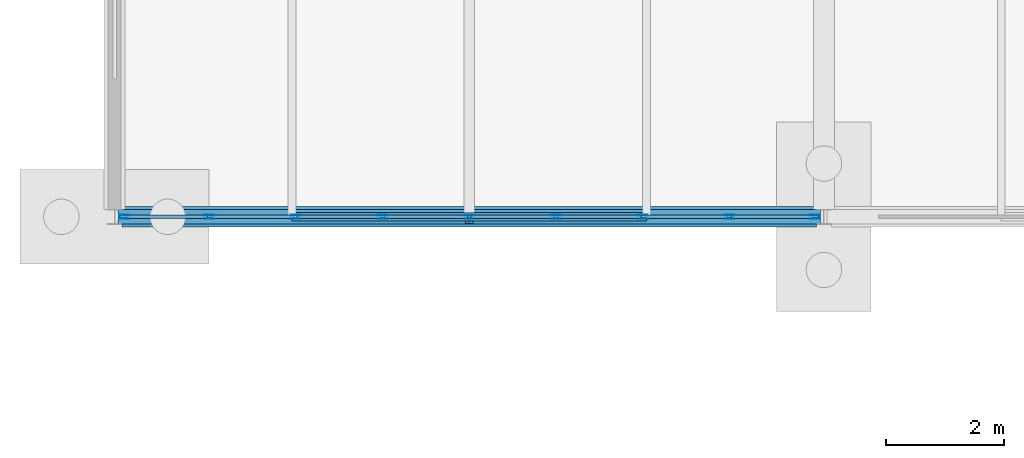
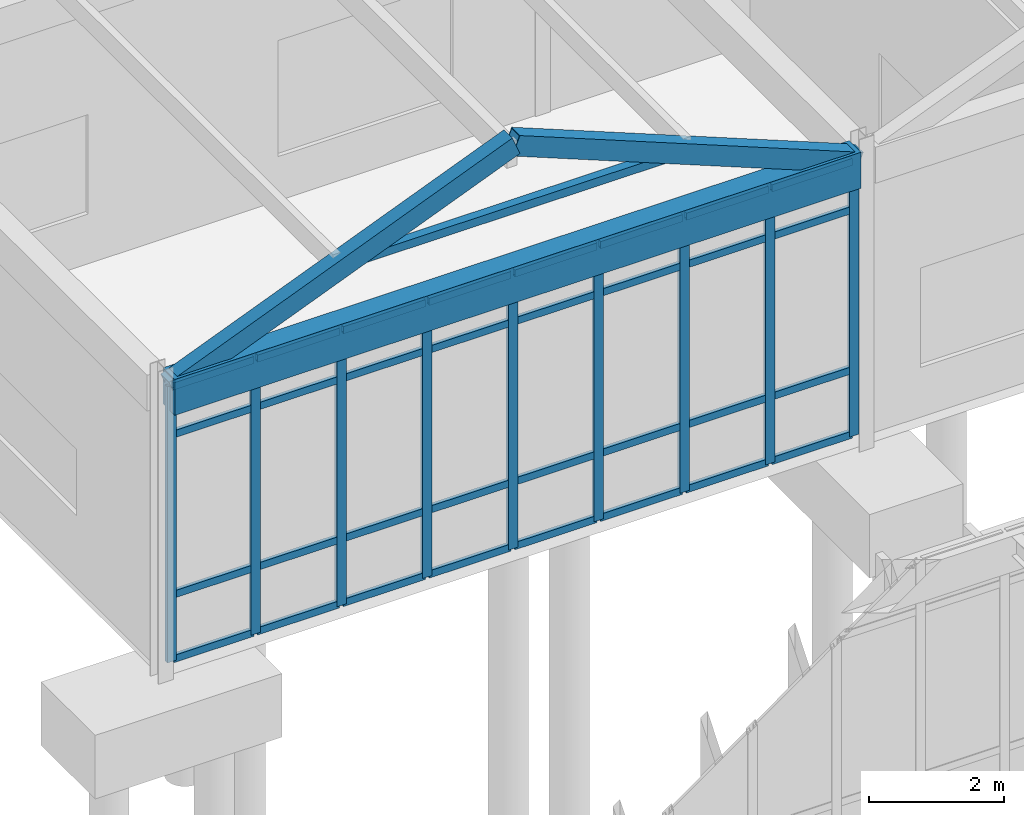
# One storey, part 37 of 188: 44 members, 1 beam, 1 element without a shape of its own.
"""IFC4 building model written with IfcOpenShell, lengths in metres."""

from ifc_helpers import new_model, si_unit, direction, frame, origin, origin_2d, place, context, subcontext, project, spatial, rectangle, hollow_rectangle, extrude, material, layer, layer_set, material_profile, profile_set, type_object, element, aggregate, save


model = new_model("IFC4")

# Units and contexts
model_context = context("Model", 3, precision=1e-05, world=origin(), true_north=direction((0.0, 1.0)))
body_context = subcontext(model_context, "Body", "Model", "MODEL_VIEW")
ifc_project = project(units=[si_unit("LENGTHUNIT", "METRE"), si_unit("AREAUNIT", "SQUARE_METRE"), si_unit("VOLUMEUNIT", "CUBIC_METRE"), si_unit("PLANEANGLEUNIT", "RADIAN"), si_unit("MASSUNIT", "GRAM", prefix="KILO")], contexts=[model_context])

# Site, building, storey
site_placement = place(None, origin())
site = spatial("IfcSite", under=ifc_project, at=site_placement, CompositionType="ELEMENT")
building_placement = place(site_placement, origin())
building = spatial("IfcBuilding", under=site, at=building_placement, Name="Pandanus Reach Market Hall", CompositionType="ELEMENT")
storey_placement = place(building_placement, origin())
storey = spatial("IfcBuildingStorey", under=building, at=storey_placement, Name="L00", CompositionType="ELEMENT", Elevation=0.0)

# Beam
ifc_material_1 = material(Name="Concrete N40 (40 MPa)", Category="concrete")
ifc_material_profile_1 = material_profile(ifc_material_1, rectangle(XDim=0.35009765625, YDim=0.64990234375, at=origin_2d()), Name="RC350x650", Category="LoadBearing")
ifc_profile_set_1 = profile_set([ifc_material_profile_1], Name="Concrete N40 (40 MPa)")
beam_type = type_object("IfcBeamType", Name="BM-RC350-E", PredefinedType="SPANDREL", material=ifc_profile_set_1)
beam_placement = place(storey_placement, frame((0.125, 38.39990234375, 4.8798828125), z_axis=(1.0, 0.0, 0.0), x_axis=(0.0, 1.0, 0.0)))
element("IfcBeam", 1, at=beam_placement, inside=storey, type_object=beam_type, Name="Framing beam BM-RC350-E L00.1154", PredefinedType="SPANDREL", context=body_context, shape_type="SweptSolid", body=[
    extrude(rectangle(XDim=0.35009765625, YDim=0.64990234375, at=origin_2d()), origin(), (0.0, 0.0, 1.0), 11.75),
])

# Member
ifc_material_2 = material(Name="Steel Grade 350 (350 MPa)", Category="steel")
ifc_material_profile_2 = material_profile(ifc_material_2, hollow_rectangle(XDim=0.14990234375, YDim=0.14990234375, WallThickness=0.009033203125, at=origin_2d()), Name="150x150x9.0SHS", Category="LoadBearing")
ifc_profile_set_2 = profile_set([ifc_material_profile_2], Name="Steel Grade 350 (350 MPa)")
member_type_1 = type_object("IfcMemberType", Name="CL-SHS150-I", PredefinedType="COLLAR", material=ifc_profile_set_2)
member_1_placement = place(storey_placement, frame((3.0, 38.39990234375, 6.166748046875), z_axis=(1.0, 0.0, 0.0), x_axis=(0.0, 1.0, 0.0)))
element("IfcMember", 2, at=member_1_placement, inside=storey, type_object=member_type_1, Name="Gable collar tie R1.B1", PredefinedType="COLLAR", context=body_context, shape_type="SweptSolid", body=[
    extrude(hollow_rectangle(XDim=0.14990234375, YDim=0.14990234375, WallThickness=0.009033203125, at=origin_2d()), origin(), (0.0, 0.0, 1.0), 6.0),
])

# Curtain wall, members
ifc_material_3 = material(Name="Bronze anodised aluminium and low-E glass", Category="aluminium")
ifc_layer = layer(ifc_material_3, 0.159912109375, Name="CW-07")
ifc_layer_set = layer_set([ifc_layer], Name="Bronze anodised aluminium and low-E glass")
curtain_wall_type = type_object("IfcCurtainWallType", Name="CW-07", PredefinedType="NOTDEFINED", material=ifc_layer_set)
curtain_wall_placement = place(storey_placement, origin())
curtain_wall = element("IfcCurtainWall", 3, at=curtain_wall_placement, inside=storey, type_object=curtain_wall_type, Name="Glazed curtain wall CW-07 CW-0038", PredefinedType="NOTDEFINED")
ifc_material_4 = material(Name="Bronze anodised aluminium", Category="aluminium")
ifc_material_profile_3 = material_profile(ifc_material_4, hollow_rectangle(XDim=0.06494140625, YDim=0.159912109375, WallThickness=0.00390625, at=origin_2d()), Name="ALU65x160", Category="LoadBearing")
ifc_profile_set_3 = profile_set([ifc_material_profile_3], Name="Bronze anodised aluminium")
member_type_2 = type_object("IfcMemberType", Name="CW-M1", PredefinedType="MULLION", material=ifc_profile_set_3)
member_2_placement = place(storey_placement, frame((0.159423828125, 38.39990234375, 0.0), z_axis=(0.0, 0.0, 1.0), x_axis=(0.0, 1.0, 0.0)))
member_2 = element("IfcMember", 4, at=member_2_placement, type_object=member_type_2, Name="CW-07 mullion 1", PredefinedType="MULLION", context=body_context, shape_type="SweptSolid", body=[
    extrude(hollow_rectangle(XDim=0.06494140625, YDim=0.159912109375, WallThickness=0.00390625, at=origin_2d()), origin(), (0.0, 0.0, 1.0), 5.0),
])
member_3_placement = place(storey_placement, frame((1.59521484375, 38.39990234375, 0.0), z_axis=(0.0, 0.0, 1.0), x_axis=(0.0, 1.0, 0.0)))
member_3 = element("IfcMember", 5, at=member_3_placement, type_object=member_type_2, Name="CW-07 mullion 2", PredefinedType="MULLION", context=body_context, shape_type="SweptSolid", body=[
    extrude(hollow_rectangle(XDim=0.06494140625, YDim=0.159912109375, WallThickness=0.00390625, at=origin_2d()), origin(), (0.0, 0.0, 1.0), 5.0),
])
member_4_placement = place(storey_placement, frame((3.0634765625, 38.39990234375, 0.0), z_axis=(0.0, 0.0, 1.0), x_axis=(0.0, 1.0, 0.0)))
member_4 = element("IfcMember", 6, at=member_4_placement, type_object=member_type_2, Name="CW-07 mullion 3", PredefinedType="MULLION", context=body_context, shape_type="SweptSolid", body=[
    extrude(hollow_rectangle(XDim=0.06494140625, YDim=0.159912109375, WallThickness=0.00390625, at=origin_2d()), origin(), (0.0, 0.0, 1.0), 5.0),
])
member_5_placement = place(storey_placement, frame((4.53173828125, 38.39990234375, 0.0), z_axis=(0.0, 0.0, 1.0), x_axis=(0.0, 1.0, 0.0)))
member_5 = element("IfcMember", 7, at=member_5_placement, type_object=member_type_2, Name="CW-07 mullion 4", PredefinedType="MULLION", context=body_context, shape_type="SweptSolid", body=[
    extrude(hollow_rectangle(XDim=0.06494140625, YDim=0.159912109375, WallThickness=0.00390625, at=origin_2d()), origin(), (0.0, 0.0, 1.0), 5.0),
])
member_6_placement = place(storey_placement, frame((6.0, 38.39990234375, 0.0), z_axis=(0.0, 0.0, 1.0), x_axis=(0.0, 1.0, 0.0)))
member_6 = element("IfcMember", 8, at=member_6_placement, type_object=member_type_2, Name="CW-07 mullion 5", PredefinedType="MULLION", context=body_context, shape_type="SweptSolid", body=[
    extrude(hollow_rectangle(XDim=0.06494140625, YDim=0.159912109375, WallThickness=0.00390625, at=origin_2d()), origin(), (0.0, 0.0, 1.0), 5.0),
])
member_7_placement = place(storey_placement, frame((7.46826171875, 38.39990234375, 0.0), z_axis=(0.0, 0.0, 1.0), x_axis=(0.0, 1.0, 0.0)))
member_7 = element("IfcMember", 9, at=member_7_placement, type_object=member_type_2, Name="CW-07 mullion 6", PredefinedType="MULLION", context=body_context, shape_type="SweptSolid", body=[
    extrude(hollow_rectangle(XDim=0.06494140625, YDim=0.159912109375, WallThickness=0.00390625, at=origin_2d()), origin(), (0.0, 0.0, 1.0), 5.0),
])
member_8_placement = place(storey_placement, frame((8.9365234375, 38.39990234375, 0.0), z_axis=(0.0, 0.0, 1.0), x_axis=(0.0, 1.0, 0.0)))
member_8 = element("IfcMember", 10, at=member_8_placement, type_object=member_type_2, Name="CW-07 mullion 7", PredefinedType="MULLION", context=body_context, shape_type="SweptSolid", body=[
    extrude(hollow_rectangle(XDim=0.06494140625, YDim=0.159912109375, WallThickness=0.00390625, at=origin_2d()), origin(), (0.0, 0.0, 1.0), 5.0),
])
member_9_placement = place(storey_placement, frame((10.40478515625, 38.39990234375, 0.0), z_axis=(0.0, 0.0, 1.0), x_axis=(0.0, 1.0, 0.0)))
member_9 = element("IfcMember", 11, at=member_9_placement, type_object=member_type_2, Name="CW-07 mullion 8", PredefinedType="MULLION", context=body_context, shape_type="SweptSolid", body=[
    extrude(hollow_rectangle(XDim=0.06494140625, YDim=0.159912109375, WallThickness=0.00390625, at=origin_2d()), origin(), (0.0, 0.0, 1.0), 5.0),
])
member_10_placement = place(storey_placement, frame((11.840576171875, 38.39990234375, 0.0), z_axis=(0.0, 0.0, 1.0), x_axis=(0.0, 1.0, 0.0)))
member_10 = element("IfcMember", 12, at=member_10_placement, type_object=member_type_2, Name="CW-07 mullion 9", PredefinedType="MULLION", context=body_context, shape_type="SweptSolid", body=[
    extrude(hollow_rectangle(XDim=0.06494140625, YDim=0.159912109375, WallThickness=0.00390625, at=origin_2d()), origin(), (0.0, 0.0, 1.0), 5.0),
])
ifc_material_profile_4 = material_profile(ifc_material_4, hollow_rectangle(XDim=0.06494140625, YDim=0.1298828125, WallThickness=0.00390625, at=origin_2d()), Name="ALU65x130", Category="LoadBearing")
ifc_profile_set_4 = profile_set([ifc_material_profile_4], Name="Bronze anodised aluminium")
member_type_3 = type_object("IfcMemberType", Name="CW-T1", PredefinedType="USERDEFINED", material=ifc_profile_set_4)
member_11_placement = place(storey_placement, frame((0.19189453125, 38.39990234375, 0.032470703125), z_axis=(1.0, 0.0, 0.0), x_axis=(0.0, 1.0, 0.0)))
member_11 = element("IfcMember", 13, at=member_11_placement, type_object=member_type_3, Name="CW-07 transom 1.1", ObjectType="TRANSOM", PredefinedType="USERDEFINED", context=body_context, shape_type="SweptSolid", body=[
    extrude(hollow_rectangle(XDim=0.06494140625, YDim=0.1298828125, WallThickness=0.00390625, at=origin_2d()), origin(), (0.0, 0.0, 1.0), 1.370849609375),
])
member_12_placement = place(storey_placement, frame((0.19189453125, 38.39990234375, 1.199951171875), z_axis=(1.0, 0.0, 0.0), x_axis=(0.0, 1.0, 0.0)))
member_12 = element("IfcMember", 14, at=member_12_placement, type_object=member_type_3, Name="CW-07 transom 1.2", ObjectType="TRANSOM", PredefinedType="USERDEFINED", context=body_context, shape_type="SweptSolid", body=[
    extrude(hollow_rectangle(XDim=0.06494140625, YDim=0.1298828125, WallThickness=0.00390625, at=origin_2d()), origin(), (0.0, 0.0, 1.0), 1.370849609375),
])
member_13_placement = place(storey_placement, frame((0.19189453125, 38.39990234375, 4.10009765625), z_axis=(1.0, 0.0, 0.0), x_axis=(0.0, 1.0, 0.0)))
member_13 = element("IfcMember", 15, at=member_13_placement, type_object=member_type_3, Name="CW-07 transom 1.3", ObjectType="TRANSOM", PredefinedType="USERDEFINED", context=body_context, shape_type="SweptSolid", body=[
    extrude(hollow_rectangle(XDim=0.06494140625, YDim=0.1298828125, WallThickness=0.00390625, at=origin_2d()), origin(), (0.0, 0.0, 1.0), 1.370849609375),
])
member_14_placement = place(storey_placement, frame((0.19189453125, 38.39990234375, 4.967529296875), z_axis=(1.0, 0.0, 0.0), x_axis=(0.0, 1.0, 0.0)))
member_14 = element("IfcMember", 16, at=member_14_placement, type_object=member_type_3, Name="CW-07 transom 1.4", ObjectType="TRANSOM", PredefinedType="USERDEFINED", context=body_context, shape_type="SweptSolid", body=[
    extrude(hollow_rectangle(XDim=0.06494140625, YDim=0.1298828125, WallThickness=0.00390625, at=origin_2d()), origin(), (0.0, 0.0, 1.0), 1.370849609375),
])
member_15_placement = place(storey_placement, frame((1.627685546875, 38.39990234375, 0.032470703125), z_axis=(1.0, 0.0, 0.0), x_axis=(0.0, 1.0, 0.0)))
member_15 = element("IfcMember", 17, at=member_15_placement, type_object=member_type_3, Name="CW-07 transom 2.1", ObjectType="TRANSOM", PredefinedType="USERDEFINED", context=body_context, shape_type="SweptSolid", body=[
    extrude(hollow_rectangle(XDim=0.06494140625, YDim=0.1298828125, WallThickness=0.00390625, at=origin_2d()), origin(), (0.0, 0.0, 1.0), 1.4033203125),
])
member_16_placement = place(storey_placement, frame((1.627685546875, 38.39990234375, 1.199951171875), z_axis=(1.0, 0.0, 0.0), x_axis=(0.0, 1.0, 0.0)))
member_16 = element("IfcMember", 18, at=member_16_placement, type_object=member_type_3, Name="CW-07 transom 2.2", ObjectType="TRANSOM", PredefinedType="USERDEFINED", context=body_context, shape_type="SweptSolid", body=[
    extrude(hollow_rectangle(XDim=0.06494140625, YDim=0.1298828125, WallThickness=0.00390625, at=origin_2d()), origin(), (0.0, 0.0, 1.0), 1.4033203125),
])
member_17_placement = place(storey_placement, frame((1.627685546875, 38.39990234375, 4.10009765625), z_axis=(1.0, 0.0, 0.0), x_axis=(0.0, 1.0, 0.0)))
member_17 = element("IfcMember", 19, at=member_17_placement, type_object=member_type_3, Name="CW-07 transom 2.3", ObjectType="TRANSOM", PredefinedType="USERDEFINED", context=body_context, shape_type="SweptSolid", body=[
    extrude(hollow_rectangle(XDim=0.06494140625, YDim=0.1298828125, WallThickness=0.00390625, at=origin_2d()), origin(), (0.0, 0.0, 1.0), 1.4033203125),
])
member_18_placement = place(storey_placement, frame((1.627685546875, 38.39990234375, 4.967529296875), z_axis=(1.0, 0.0, 0.0), x_axis=(0.0, 1.0, 0.0)))
member_18 = element("IfcMember", 20, at=member_18_placement, type_object=member_type_3, Name="CW-07 transom 2.4", ObjectType="TRANSOM", PredefinedType="USERDEFINED", context=body_context, shape_type="SweptSolid", body=[
    extrude(hollow_rectangle(XDim=0.06494140625, YDim=0.1298828125, WallThickness=0.00390625, at=origin_2d()), origin(), (0.0, 0.0, 1.0), 1.4033203125),
])
member_19_placement = place(storey_placement, frame((3.095947265625, 38.39990234375, 0.032470703125), z_axis=(1.0, 0.0, 0.0), x_axis=(0.0, 1.0, 0.0)))
member_19 = element("IfcMember", 21, at=member_19_placement, type_object=member_type_3, Name="CW-07 transom 3.1", ObjectType="TRANSOM", PredefinedType="USERDEFINED", context=body_context, shape_type="SweptSolid", body=[
    extrude(hollow_rectangle(XDim=0.06494140625, YDim=0.1298828125, WallThickness=0.00390625, at=origin_2d()), origin(), (0.0, 0.0, 1.0), 1.4033203125),
])
member_20_placement = place(storey_placement, frame((3.095947265625, 38.39990234375, 1.199951171875), z_axis=(1.0, 0.0, 0.0), x_axis=(0.0, 1.0, 0.0)))
member_20 = element("IfcMember", 22, at=member_20_placement, type_object=member_type_3, Name="CW-07 transom 3.2", ObjectType="TRANSOM", PredefinedType="USERDEFINED", context=body_context, shape_type="SweptSolid", body=[
    extrude(hollow_rectangle(XDim=0.06494140625, YDim=0.1298828125, WallThickness=0.00390625, at=origin_2d()), origin(), (0.0, 0.0, 1.0), 1.4033203125),
])
member_21_placement = place(storey_placement, frame((3.095947265625, 38.39990234375, 4.10009765625), z_axis=(1.0, 0.0, 0.0), x_axis=(0.0, 1.0, 0.0)))
member_21 = element("IfcMember", 23, at=member_21_placement, type_object=member_type_3, Name="CW-07 transom 3.3", ObjectType="TRANSOM", PredefinedType="USERDEFINED", context=body_context, shape_type="SweptSolid", body=[
    extrude(hollow_rectangle(XDim=0.06494140625, YDim=0.1298828125, WallThickness=0.00390625, at=origin_2d()), origin(), (0.0, 0.0, 1.0), 1.4033203125),
])
member_22_placement = place(storey_placement, frame((3.095947265625, 38.39990234375, 4.967529296875), z_axis=(1.0, 0.0, 0.0), x_axis=(0.0, 1.0, 0.0)))
member_22 = element("IfcMember", 24, at=member_22_placement, type_object=member_type_3, Name="CW-07 transom 3.4", ObjectType="TRANSOM", PredefinedType="USERDEFINED", context=body_context, shape_type="SweptSolid", body=[
    extrude(hollow_rectangle(XDim=0.06494140625, YDim=0.1298828125, WallThickness=0.00390625, at=origin_2d()), origin(), (0.0, 0.0, 1.0), 1.4033203125),
])
member_23_placement = place(storey_placement, frame((4.564208984375, 38.39990234375, 0.032470703125), z_axis=(1.0, 0.0, 0.0), x_axis=(0.0, 1.0, 0.0)))
member_23 = element("IfcMember", 25, at=member_23_placement, type_object=member_type_3, Name="CW-07 transom 4.1", ObjectType="TRANSOM", PredefinedType="USERDEFINED", context=body_context, shape_type="SweptSolid", body=[
    extrude(hollow_rectangle(XDim=0.06494140625, YDim=0.1298828125, WallThickness=0.00390625, at=origin_2d()), origin(), (0.0, 0.0, 1.0), 1.4033203125),
])
member_24_placement = place(storey_placement, frame((4.564208984375, 38.39990234375, 1.199951171875), z_axis=(1.0, 0.0, 0.0), x_axis=(0.0, 1.0, 0.0)))
member_24 = element("IfcMember", 26, at=member_24_placement, type_object=member_type_3, Name="CW-07 transom 4.2", ObjectType="TRANSOM", PredefinedType="USERDEFINED", context=body_context, shape_type="SweptSolid", body=[
    extrude(hollow_rectangle(XDim=0.06494140625, YDim=0.1298828125, WallThickness=0.00390625, at=origin_2d()), origin(), (0.0, 0.0, 1.0), 1.4033203125),
])
member_25_placement = place(storey_placement, frame((4.564208984375, 38.39990234375, 4.10009765625), z_axis=(1.0, 0.0, 0.0), x_axis=(0.0, 1.0, 0.0)))
member_25 = element("IfcMember", 27, at=member_25_placement, type_object=member_type_3, Name="CW-07 transom 4.3", ObjectType="TRANSOM", PredefinedType="USERDEFINED", context=body_context, shape_type="SweptSolid", body=[
    extrude(hollow_rectangle(XDim=0.06494140625, YDim=0.1298828125, WallThickness=0.00390625, at=origin_2d()), origin(), (0.0, 0.0, 1.0), 1.4033203125),
])
member_26_placement = place(storey_placement, frame((4.564208984375, 38.39990234375, 4.967529296875), z_axis=(1.0, 0.0, 0.0), x_axis=(0.0, 1.0, 0.0)))
member_26 = element("IfcMember", 28, at=member_26_placement, type_object=member_type_3, Name="CW-07 transom 4.4", ObjectType="TRANSOM", PredefinedType="USERDEFINED", context=body_context, shape_type="SweptSolid", body=[
    extrude(hollow_rectangle(XDim=0.06494140625, YDim=0.1298828125, WallThickness=0.00390625, at=origin_2d()), origin(), (0.0, 0.0, 1.0), 1.4033203125),
])
member_27_placement = place(storey_placement, frame((6.032470703125, 38.39990234375, 0.032470703125), z_axis=(1.0, 0.0, 0.0), x_axis=(0.0, 1.0, 0.0)))
member_27 = element("IfcMember", 29, at=member_27_placement, type_object=member_type_3, Name="CW-07 transom 5.1", ObjectType="TRANSOM", PredefinedType="USERDEFINED", context=body_context, shape_type="SweptSolid", body=[
    extrude(hollow_rectangle(XDim=0.06494140625, YDim=0.1298828125, WallThickness=0.00390625, at=origin_2d()), origin(), (0.0, 0.0, 1.0), 1.4033203125),
])
member_28_placement = place(storey_placement, frame((6.032470703125, 38.39990234375, 1.199951171875), z_axis=(1.0, 0.0, 0.0), x_axis=(0.0, 1.0, 0.0)))
member_28 = element("IfcMember", 30, at=member_28_placement, type_object=member_type_3, Name="CW-07 transom 5.2", ObjectType="TRANSOM", PredefinedType="USERDEFINED", context=body_context, shape_type="SweptSolid", body=[
    extrude(hollow_rectangle(XDim=0.06494140625, YDim=0.1298828125, WallThickness=0.00390625, at=origin_2d()), origin(), (0.0, 0.0, 1.0), 1.4033203125),
])
member_29_placement = place(storey_placement, frame((6.032470703125, 38.39990234375, 4.10009765625), z_axis=(1.0, 0.0, 0.0), x_axis=(0.0, 1.0, 0.0)))
member_29 = element("IfcMember", 31, at=member_29_placement, type_object=member_type_3, Name="CW-07 transom 5.3", ObjectType="TRANSOM", PredefinedType="USERDEFINED", context=body_context, shape_type="SweptSolid", body=[
    extrude(hollow_rectangle(XDim=0.06494140625, YDim=0.1298828125, WallThickness=0.00390625, at=origin_2d()), origin(), (0.0, 0.0, 1.0), 1.4033203125),
])
member_30_placement = place(storey_placement, frame((6.032470703125, 38.39990234375, 4.967529296875), z_axis=(1.0, 0.0, 0.0), x_axis=(0.0, 1.0, 0.0)))
member_30 = element("IfcMember", 32, at=member_30_placement, type_object=member_type_3, Name="CW-07 transom 5.4", ObjectType="TRANSOM", PredefinedType="USERDEFINED", context=body_context, shape_type="SweptSolid", body=[
    extrude(hollow_rectangle(XDim=0.06494140625, YDim=0.1298828125, WallThickness=0.00390625, at=origin_2d()), origin(), (0.0, 0.0, 1.0), 1.4033203125),
])
member_31_placement = place(storey_placement, frame((7.500732421875, 38.39990234375, 0.032470703125), z_axis=(1.0, 0.0, 0.0), x_axis=(0.0, 1.0, 0.0)))
member_31 = element("IfcMember", 33, at=member_31_placement, type_object=member_type_3, Name="CW-07 transom 6.1", ObjectType="TRANSOM", PredefinedType="USERDEFINED", context=body_context, shape_type="SweptSolid", body=[
    extrude(hollow_rectangle(XDim=0.06494140625, YDim=0.1298828125, WallThickness=0.00390625, at=origin_2d()), origin(), (0.0, 0.0, 1.0), 1.4033203125),
])
member_32_placement = place(storey_placement, frame((7.500732421875, 38.39990234375, 1.199951171875), z_axis=(1.0, 0.0, 0.0), x_axis=(0.0, 1.0, 0.0)))
member_32 = element("IfcMember", 34, at=member_32_placement, type_object=member_type_3, Name="CW-07 transom 6.2", ObjectType="TRANSOM", PredefinedType="USERDEFINED", context=body_context, shape_type="SweptSolid", body=[
    extrude(hollow_rectangle(XDim=0.06494140625, YDim=0.1298828125, WallThickness=0.00390625, at=origin_2d()), origin(), (0.0, 0.0, 1.0), 1.4033203125),
])
member_33_placement = place(storey_placement, frame((7.500732421875, 38.39990234375, 4.10009765625), z_axis=(1.0, 0.0, 0.0), x_axis=(0.0, 1.0, 0.0)))
member_33 = element("IfcMember", 35, at=member_33_placement, type_object=member_type_3, Name="CW-07 transom 6.3", ObjectType="TRANSOM", PredefinedType="USERDEFINED", context=body_context, shape_type="SweptSolid", body=[
    extrude(hollow_rectangle(XDim=0.06494140625, YDim=0.1298828125, WallThickness=0.00390625, at=origin_2d()), origin(), (0.0, 0.0, 1.0), 1.4033203125),
])
member_34_placement = place(storey_placement, frame((7.500732421875, 38.39990234375, 4.967529296875), z_axis=(1.0, 0.0, 0.0), x_axis=(0.0, 1.0, 0.0)))
member_34 = element("IfcMember", 36, at=member_34_placement, type_object=member_type_3, Name="CW-07 transom 6.4", ObjectType="TRANSOM", PredefinedType="USERDEFINED", context=body_context, shape_type="SweptSolid", body=[
    extrude(hollow_rectangle(XDim=0.06494140625, YDim=0.1298828125, WallThickness=0.00390625, at=origin_2d()), origin(), (0.0, 0.0, 1.0), 1.4033203125),
])
member_35_placement = place(storey_placement, frame((8.968994140625, 38.39990234375, 0.032470703125), z_axis=(1.0, 0.0, 0.0), x_axis=(0.0, 1.0, 0.0)))
member_35 = element("IfcMember", 37, at=member_35_placement, type_object=member_type_3, Name="CW-07 transom 7.1", ObjectType="TRANSOM", PredefinedType="USERDEFINED", context=body_context, shape_type="SweptSolid", body=[
    extrude(hollow_rectangle(XDim=0.06494140625, YDim=0.1298828125, WallThickness=0.00390625, at=origin_2d()), origin(), (0.0, 0.0, 1.0), 1.4033203125),
])
member_36_placement = place(storey_placement, frame((8.968994140625, 38.39990234375, 1.199951171875), z_axis=(1.0, 0.0, 0.0), x_axis=(0.0, 1.0, 0.0)))
member_36 = element("IfcMember", 38, at=member_36_placement, type_object=member_type_3, Name="CW-07 transom 7.2", ObjectType="TRANSOM", PredefinedType="USERDEFINED", context=body_context, shape_type="SweptSolid", body=[
    extrude(hollow_rectangle(XDim=0.06494140625, YDim=0.1298828125, WallThickness=0.00390625, at=origin_2d()), origin(), (0.0, 0.0, 1.0), 1.4033203125),
])
member_37_placement = place(storey_placement, frame((8.968994140625, 38.39990234375, 4.10009765625), z_axis=(1.0, 0.0, 0.0), x_axis=(0.0, 1.0, 0.0)))
member_37 = element("IfcMember", 39, at=member_37_placement, type_object=member_type_3, Name="CW-07 transom 7.3", ObjectType="TRANSOM", PredefinedType="USERDEFINED", context=body_context, shape_type="SweptSolid", body=[
    extrude(hollow_rectangle(XDim=0.06494140625, YDim=0.1298828125, WallThickness=0.00390625, at=origin_2d()), origin(), (0.0, 0.0, 1.0), 1.4033203125),
])
member_38_placement = place(storey_placement, frame((8.968994140625, 38.39990234375, 4.967529296875), z_axis=(1.0, 0.0, 0.0), x_axis=(0.0, 1.0, 0.0)))
member_38 = element("IfcMember", 40, at=member_38_placement, type_object=member_type_3, Name="CW-07 transom 7.4", ObjectType="TRANSOM", PredefinedType="USERDEFINED", context=body_context, shape_type="SweptSolid", body=[
    extrude(hollow_rectangle(XDim=0.06494140625, YDim=0.1298828125, WallThickness=0.00390625, at=origin_2d()), origin(), (0.0, 0.0, 1.0), 1.4033203125),
])
member_39_placement = place(storey_placement, frame((10.437255859375, 38.39990234375, 0.032470703125), z_axis=(1.0, 0.0, 0.0), x_axis=(0.0, 1.0, 0.0)))
member_39 = element("IfcMember", 41, at=member_39_placement, type_object=member_type_3, Name="CW-07 transom 8.1", ObjectType="TRANSOM", PredefinedType="USERDEFINED", context=body_context, shape_type="SweptSolid", body=[
    extrude(hollow_rectangle(XDim=0.06494140625, YDim=0.1298828125, WallThickness=0.00390625, at=origin_2d()), origin(), (0.0, 0.0, 1.0), 1.370849609375),
])
member_40_placement = place(storey_placement, frame((10.437255859375, 38.39990234375, 1.199951171875), z_axis=(1.0, 0.0, 0.0), x_axis=(0.0, 1.0, 0.0)))
member_40 = element("IfcMember", 42, at=member_40_placement, type_object=member_type_3, Name="CW-07 transom 8.2", ObjectType="TRANSOM", PredefinedType="USERDEFINED", context=body_context, shape_type="SweptSolid", body=[
    extrude(hollow_rectangle(XDim=0.06494140625, YDim=0.1298828125, WallThickness=0.00390625, at=origin_2d()), origin(), (0.0, 0.0, 1.0), 1.370849609375),
])
member_41_placement = place(storey_placement, frame((10.437255859375, 38.39990234375, 4.10009765625), z_axis=(1.0, 0.0, 0.0), x_axis=(0.0, 1.0, 0.0)))
member_41 = element("IfcMember", 43, at=member_41_placement, type_object=member_type_3, Name="CW-07 transom 8.3", ObjectType="TRANSOM", PredefinedType="USERDEFINED", context=body_context, shape_type="SweptSolid", body=[
    extrude(hollow_rectangle(XDim=0.06494140625, YDim=0.1298828125, WallThickness=0.00390625, at=origin_2d()), origin(), (0.0, 0.0, 1.0), 1.370849609375),
])
member_42_placement = place(storey_placement, frame((10.437255859375, 38.39990234375, 4.967529296875), z_axis=(1.0, 0.0, 0.0), x_axis=(0.0, 1.0, 0.0)))
member_42 = element("IfcMember", 44, at=member_42_placement, type_object=member_type_3, Name="CW-07 transom 8.4", ObjectType="TRANSOM", PredefinedType="USERDEFINED", context=body_context, shape_type="SweptSolid", body=[
    extrude(hollow_rectangle(XDim=0.06494140625, YDim=0.1298828125, WallThickness=0.00390625, at=origin_2d()), origin(), (0.0, 0.0, 1.0), 1.370849609375),
])
aggregate(curtain_wall, [member_2, member_3, member_4, member_5, member_6, member_7, member_8, member_9, member_10, member_11, member_12, member_13, member_14, member_15, member_16, member_17, member_18, member_19, member_20, member_21, member_22, member_23, member_24, member_25, member_26, member_27, member_28, member_29, member_30, member_31, member_32, member_33, member_34, member_35, member_36, member_37, member_38, member_39, member_40, member_41, member_42])

# Members
ifc_material_profile_5 = material_profile(ifc_material_2, hollow_rectangle(XDim=0.25, YDim=0.35009765625, WallThickness=0.012451171875, at=origin_2d()), Name="350x250x12.5RHS", Category="LoadBearing")
ifc_profile_set_5 = profile_set([ifc_material_profile_5], Name="Steel Grade 350 (350 MPa)")
member_type_4 = type_object("IfcMemberType", Name="RF-RHS350-E", PredefinedType="RAFTER", material=ifc_profile_set_5)
for number, where, z_axis, x_axis, name in (
    (45, (0.1201171875, 38.39990234375, 4.985107421875), (0.927845665363, 0.0, 0.372964369971), (0.0, 1.0, 0.0), "Steep gable rafter R1.B1W"),
    (46, (6.0, 38.39990234375, 7.3486328125), (0.927845665363, 0.0, -0.372964369971), (0.0, 1.0, 0.0), "Steep gable rafter R1.B1E"),
):
    element("IfcMember", number, at=place(storey_placement, frame(where, z_axis=z_axis, x_axis=x_axis)), inside=storey, type_object=member_type_4, Name=name, PredefinedType="RAFTER", context=body_context, shape_type="SweptSolid", body=[
        extrude(hollow_rectangle(XDim=0.25, YDim=0.35009765625, WallThickness=0.012451171875, at=origin_2d()), origin(), (0.0, 0.0, 1.0), 6.337158203125),
    ])

save(model, "model.ifc")
